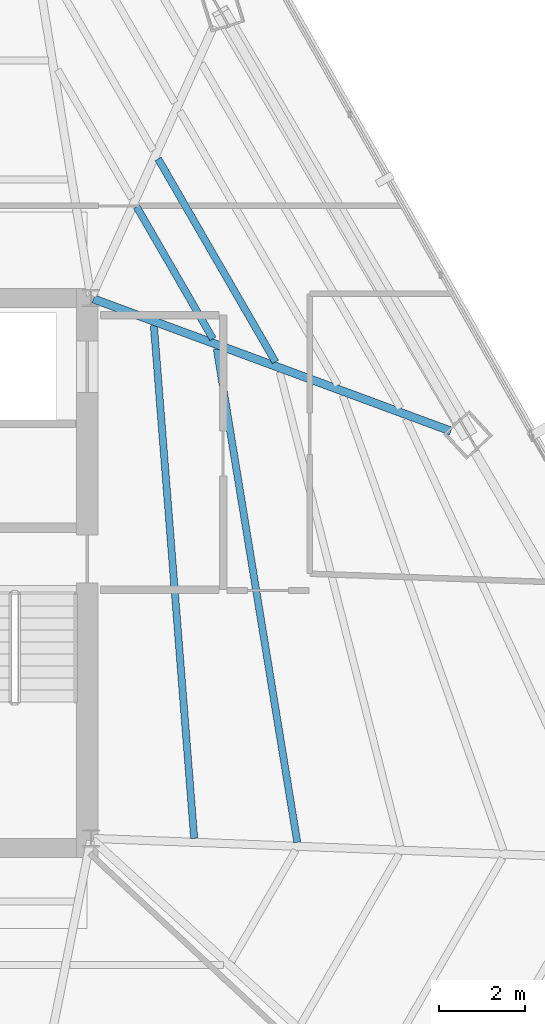
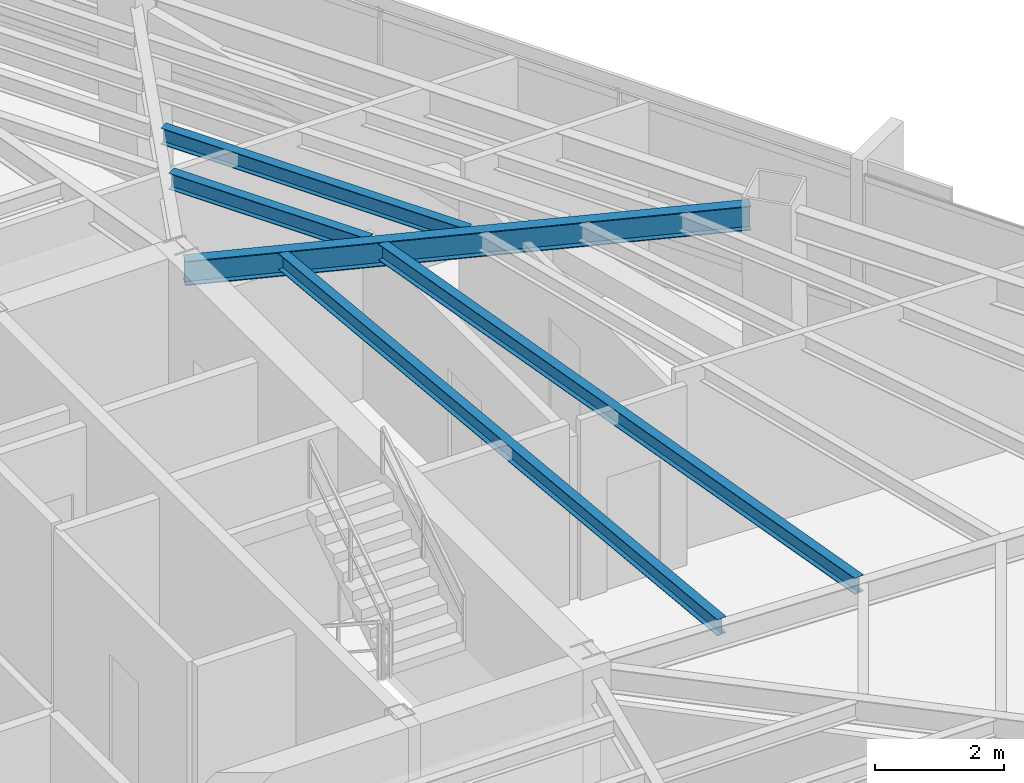
# One storey, part 25 of 40: 5 beams.
"""IFC4 building model written with IfcOpenShell, lengths in metres."""

from ifc_helpers import new_model, si_unit, direction, frame, origin, origin_2d, place, context, subcontext, project, spatial, i_section, extrude, source, transform, mapped, material, material_profile, profile_set, type_object, type_shapes, element, save


model = new_model("IFC4")

# Units and contexts
model_context = context("Model", 3, precision=1e-05, world=origin(), true_north=direction((0.0, 1.0)))
body_context = subcontext(model_context, "Body", "Model", "MODEL_VIEW")
ifc_project = project(units=[si_unit("LENGTHUNIT", "METRE"), si_unit("AREAUNIT", "SQUARE_METRE"), si_unit("VOLUMEUNIT", "CUBIC_METRE"), si_unit("PLANEANGLEUNIT", "RADIAN"), si_unit("MASSUNIT", "GRAM", prefix="KILO")], contexts=[model_context])

# Site, building, storey
site_placement = place(None, origin())
site = spatial("IfcSite", under=ifc_project, at=site_placement, CompositionType="ELEMENT")
building_placement = place(site_placement, origin())
building = spatial("IfcBuilding", under=site, at=building_placement, Name="Caelisora Broadcast Tower", CompositionType="ELEMENT")
storey_placement = place(building_placement, frame((0.0, 0.0, 213.25)))
storey = spatial("IfcBuildingStorey", under=building, at=storey_placement, Name="L56", CompositionType="ELEMENT", Elevation=213.25)

# Beams
ifc_material = material(Name="Steel Grade 350 (AS/NZS 3679.1)", Category="steel")
ifc_material_profile_1 = material_profile(ifc_material, i_section(OverallWidth=0.19091796875, OverallDepth=0.46044921875, WebThickness=0.010009765625, FlangeThickness=0.01611328125, at=origin_2d()), Name="Steel Grade 350 (AS/NZS 3679.1)")
ifc_profile_set_1 = profile_set([ifc_material_profile_1], Name="Steel Grade 350 (AS/NZS 3679.1)")
beam_type_1 = type_object("IfcBeamType", Name="PG06", PredefinedType="BEAM", material=ifc_profile_set_1)
shared_shape_1 = source(origin(), body_context, "Body", "SweptSolid", [
    extrude(i_section(OverallWidth=0.19091796875, OverallDepth=0.46044921875, WebThickness=0.010009765625, FlangeThickness=0.01611328125, at=origin_2d()), origin(), (0.0, 0.0, 1.0), 8.88720703125),
])
type_shapes(beam_type_1, [shared_shape_1])
beam_1_placement = place(storey_placement, frame((45.556396484375, 29.979248046875, 3.169921875), z_axis=(0.937881241621, -0.346956447722, 0.0), x_axis=(0.346956447722, 0.937881241621, 0.0)))
element("IfcBeam", 1, at=beam_1_placement, inside=storey, type_object=beam_type_1, Name="L56 beam PG06", PredefinedType="BEAM", context=body_context, shape_type="MappedRepresentation", body=[
    mapped(shared_shape_1, transform((0.0, 0.0, 0.0), scale=1.0)),
])
ifc_material_profile_2 = material_profile(ifc_material, i_section(OverallWidth=0.166015625, OverallDepth=0.30712890625, WebThickness=0.006591796875, FlangeThickness=0.01171875, at=origin_2d()), Name="Steel Grade 350 (AS/NZS 3679.1)")
ifc_profile_set_2 = profile_set([ifc_material_profile_2], Name="Steel Grade 350 (AS/NZS 3679.1)")
beam_type_2 = type_object("IfcBeamType", Name="SB03", PredefinedType="JOIST", material=ifc_profile_set_2)
shared_shape_2 = source(origin(), body_context, "Body", "SweptSolid", [
    extrude(i_section(OverallWidth=0.166015625, OverallDepth=0.30712890625, WebThickness=0.006591796875, FlangeThickness=0.01171875, at=origin_2d()), origin(), (0.0, 0.0, 1.0), 3.55712890625),
])
beam_2_placement = place(storey_placement, frame((48.341552734375, 29.048583984375, 3.246337890625), z_axis=(-0.499999706762, 0.866025573085, 0.0), x_axis=(-0.866025573085, -0.499999706762, 0.0)))
element("IfcBeam", 2, at=beam_2_placement, inside=storey, type_object=beam_type_2, Name="L56 beam SB03", PredefinedType="JOIST", context=body_context, shape_type="MappedRepresentation", body=[
    mapped(shared_shape_2, transform((0.0, 0.0, 0.0), scale=1.0)),
])
shared_shape_3 = source(origin(), body_context, "Body", "SweptSolid", [
    extrude(i_section(OverallWidth=0.166015625, OverallDepth=0.30712890625, WebThickness=0.006591796875, FlangeThickness=0.01171875, at=origin_2d()), origin(), (0.0, 0.0, 1.0), 5.46630859375),
])
beam_3_placement = place(storey_placement, frame((49.798828125, 28.509521484375, 3.246337890625), z_axis=(-0.500005971936, 0.866021955858, 0.0), x_axis=(-0.866021955858, -0.500005971936, 0.0)))
element("IfcBeam", 3, at=beam_3_placement, inside=storey, type_object=beam_type_2, Name="L56 beam SB03", PredefinedType="JOIST", context=body_context, shape_type="MappedRepresentation", body=[
    mapped(shared_shape_3, transform((0.0, 0.0, 0.0), scale=1.0)),
])
shared_shape_4 = source(origin(), body_context, "Body", "SweptSolid", [
    extrude(i_section(OverallWidth=0.166015625, OverallDepth=0.30712890625, WebThickness=0.006591796875, FlangeThickness=0.01171875, at=origin_2d()), origin(), (0.0, 0.0, 1.0), 11.995361328125),
])
beam_4_placement = place(storey_placement, frame((47.904541015625, 17.400390625, 3.246337890625), z_axis=(-0.078297940563, 0.996930003813, 0.0), x_axis=(-0.996930003813, -0.078297940563, 0.0)))
element("IfcBeam", 4, at=beam_4_placement, inside=storey, type_object=beam_type_2, Name="L56 beam SB03", PredefinedType="JOIST", context=body_context, shape_type="MappedRepresentation", body=[
    mapped(shared_shape_4, transform((0.0, 0.0, 0.0), scale=1.0)),
])
shared_shape_5 = source(origin(), body_context, "Body", "SweptSolid", [
    extrude(i_section(OverallWidth=0.166015625, OverallDepth=0.30712890625, WebThickness=0.006591796875, FlangeThickness=0.01171875, at=origin_2d()), origin(), (0.0, 0.0, 1.0), 11.66015625),
])
type_shapes(beam_type_2, [shared_shape_2, shared_shape_3, shared_shape_4, shared_shape_5])
beam_5_placement = place(storey_placement, frame((50.30859375, 17.308349609375, 3.246337890625), z_axis=(-0.1609516751, 0.986962288176, 0.0), x_axis=(-0.986962288176, -0.1609516751, 0.0)))
element("IfcBeam", 5, at=beam_5_placement, inside=storey, type_object=beam_type_2, Name="L56 beam SB03", PredefinedType="JOIST", context=body_context, shape_type="MappedRepresentation", body=[
    mapped(shared_shape_5, transform((0.0, 0.0, 0.0), scale=1.0)),
])

save(model, "model.ifc")
